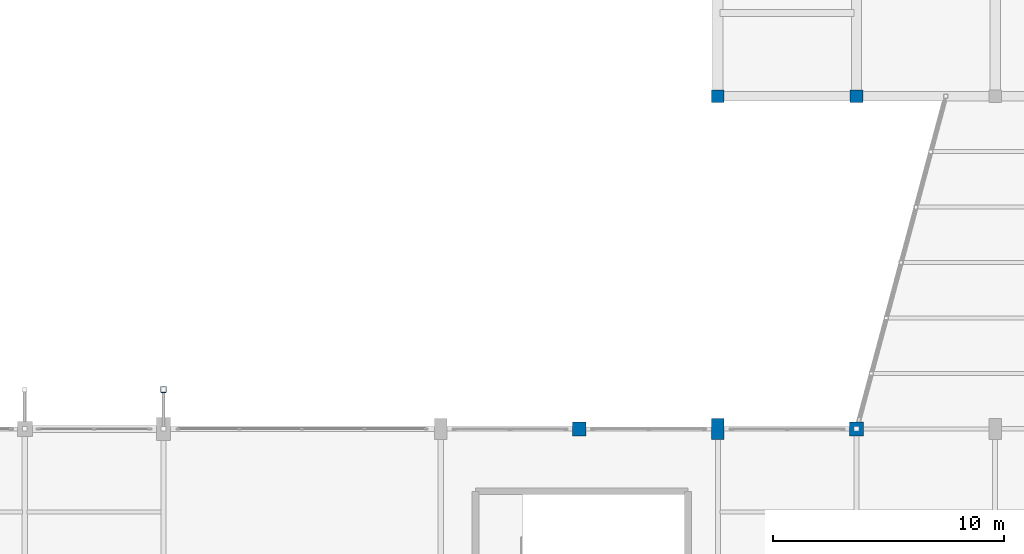
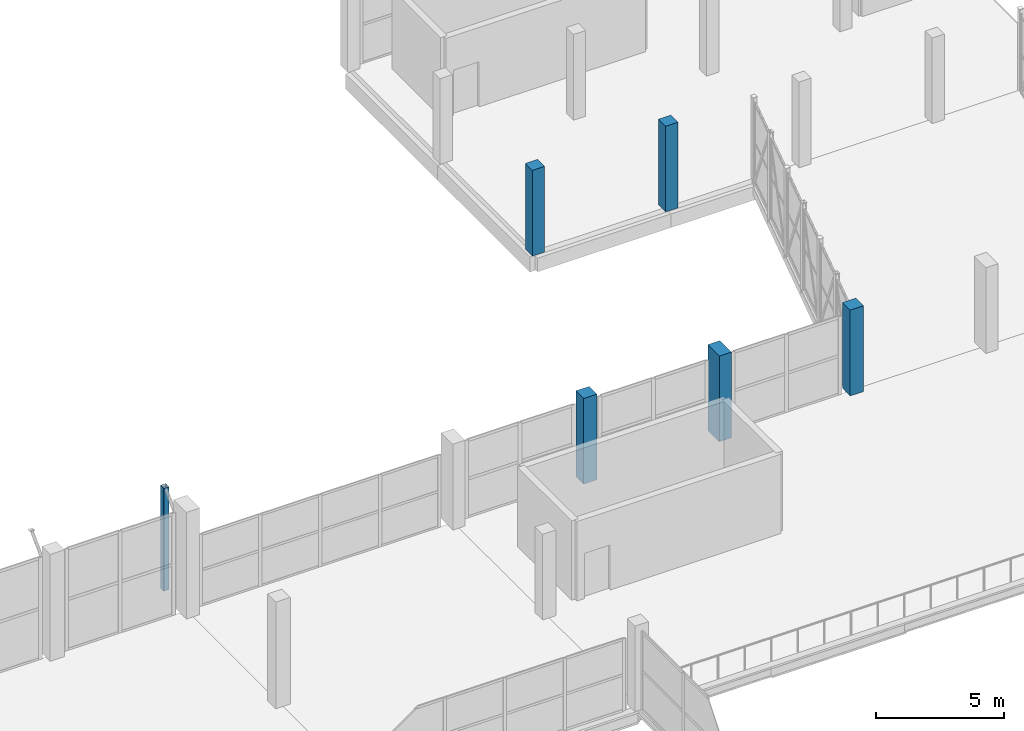
# One storey, part 10 of 127: 6 columns.
"""IFC4 building model written with IfcOpenShell, lengths in metres."""

from ifc_helpers import new_model, si_unit, direction, frame, origin, origin_2d, place, context, subcontext, project, spatial, rectangle, hollow_rectangle, extrude, material, material_profile, profile_set, type_object, element, save


model = new_model("IFC4")

# Units and contexts
model_context = context("Model", 3, precision=1e-05, world=origin(), true_north=direction((0.0, 1.0)))
body_context = subcontext(model_context, "Body", "Model", "MODEL_VIEW")
ifc_project = project(units=[si_unit("LENGTHUNIT", "METRE"), si_unit("AREAUNIT", "SQUARE_METRE"), si_unit("VOLUMEUNIT", "CUBIC_METRE"), si_unit("PLANEANGLEUNIT", "RADIAN"), si_unit("MASSUNIT", "GRAM", prefix="KILO")], contexts=[model_context])

# Site, building, storey
site_placement = place(None, origin())
site = spatial("IfcSite", under=ifc_project, at=site_placement, CompositionType="ELEMENT")
building_placement = place(site_placement, origin())
building = spatial("IfcBuilding", under=site, at=building_placement, Name="Dunvalen Ferry Terminal", CompositionType="ELEMENT")
storey_placement = place(building_placement, frame((0.0, 0.0, 5.760009765625)))
storey = spatial("IfcBuildingStorey", under=building, at=storey_placement, Name="L01", CompositionType="ELEMENT", Elevation=5.760009765625)

# Columns
ifc_material_1 = material(Name="Concrete C40/50", Category="concrete")
ifc_material_profile_1 = material_profile(ifc_material_1, rectangle(XDim=0.550048828125, YDim=0.89990234375, at=origin_2d()), Name="Concrete C40/50")
ifc_profile_set_1 = profile_set([ifc_material_profile_1], Name="Concrete C40/50")
column_type_1 = type_object("IfcColumnType", Name="STR-COL-PIER900", PredefinedType="COLUMN", material=ifc_profile_set_1)
column_1_placement = place(storey_placement, frame((120.0, 86.39990234375, 0.0), z_axis=(0.0, 0.0, 1.0), x_axis=(1.0, 0.0, 0.0)))
element("IfcColumn", 1, at=column_1_placement, inside=storey, type_object=column_type_1, Name="L01 Arrivals Hall Upper Pier 14", PredefinedType="COLUMN", context=body_context, shape_type="SweptSolid", body=[
    extrude(rectangle(XDim=0.550048828125, YDim=0.89990234375, at=origin_2d()), origin(), (0.0, 0.0, 1.0), 4.080078125),
])
ifc_material_2 = material(Name="Concrete C35/45", Category="concrete")
ifc_material_profile_2 = material_profile(ifc_material_2, rectangle(XDim=0.550048828125, YDim=0.550048828125, at=origin_2d()), Name="Concrete C35/45")
ifc_profile_set_2 = profile_set([ifc_material_profile_2], Name="Concrete C35/45")
column_type_2 = type_object("IfcColumnType", Name="STR-COL-RC550", PredefinedType="COLUMN", material=ifc_profile_set_2)
for number, where, z_axis, x_axis, name in (
    (2, (120.0, 100.800048828125, 0.0), (0.0, 0.0, 1.0), (1.0, 0.0, 0.0), "L01 Berth Pavilion 2 Column 01"),
    (3, (126.0, 100.800048828125, 0.0), (0.0, 0.0, 1.0), (1.0, 0.0, 0.0), "L01 Berth Pavilion 2 Column 04"),
):
    element("IfcColumn", number, at=place(storey_placement, frame(where, z_axis=z_axis, x_axis=x_axis)), inside=storey, type_object=column_type_2, Name=name, PredefinedType="COLUMN", context=body_context, shape_type="SweptSolid", body=[
        extrude(rectangle(XDim=0.550048828125, YDim=0.550048828125, at=origin_2d()), origin(), (0.0, 0.0, 1.0), 4.080078125),
    ])
ifc_material_profile_3 = material_profile(ifc_material_1, rectangle(XDim=0.60009765625, YDim=0.60009765625, at=origin_2d()), Name="Concrete C40/50")
ifc_profile_set_3 = profile_set([ifc_material_profile_3], Name="Concrete C40/50")
column_type_3 = type_object("IfcColumnType", Name="STR-COL-RC600", PredefinedType="COLUMN", material=ifc_profile_set_3)
for number, where, z_axis, x_axis, name in (
    (4, (114.0, 86.39990234375, 0.0), (0.0, 0.0, 1.0), (1.0, 0.0, 0.0), "L01 Arrivals Hall Upper Pier 13"),
    (5, (126.0, 86.39990234375, 0.0), (0.0, 0.0, 1.0), (1.0, 0.0, 0.0), "L01 Arrivals Hall Upper Pier 15"),
):
    element("IfcColumn", number, at=place(storey_placement, frame(where, z_axis=z_axis, x_axis=x_axis)), inside=storey, type_object=column_type_3, Name=name, PredefinedType="COLUMN", context=body_context, shape_type="SweptSolid", body=[
        extrude(rectangle(XDim=0.60009765625, YDim=0.60009765625, at=origin_2d()), origin(), (0.0, 0.0, 1.0), 4.080078125),
    ])
ifc_material_3 = material(Name="Steel S355", Category="steel")
ifc_material_profile_4 = material_profile(ifc_material_3, hollow_rectangle(XDim=0.25, YDim=0.25, WallThickness=0.010009765625, InnerFilletRadius=0.010009765625, OuterFilletRadius=0.02001953125, at=origin_2d()), Name="Steel S355")
ifc_profile_set_4 = profile_set([ifc_material_profile_4], Name="Steel S355")
column_type_4 = type_object("IfcColumnType", Name="STR-COL-SHS250", PredefinedType="COLUMN", material=ifc_profile_set_4)
column_2_placement = place(storey_placement, frame((96.0, 88.10009765625, 0.0), z_axis=(0.0, 0.0, 1.0), x_axis=(1.0, 0.0, 0.0)))
element("IfcColumn", 6, at=column_2_placement, inside=storey, type_object=column_type_4, Name="L01 Eave Colonnade Post 3", PredefinedType="COLUMN", context=body_context, shape_type="SweptSolid", body=[
    extrude(hollow_rectangle(XDim=0.25, YDim=0.25, WallThickness=0.010009765625, InnerFilletRadius=0.010009765625, OuterFilletRadius=0.02001953125, at=origin_2d()), origin(), (0.0, 0.0, 1.0), 4.89990234375),
])

save(model, "model.ifc")
